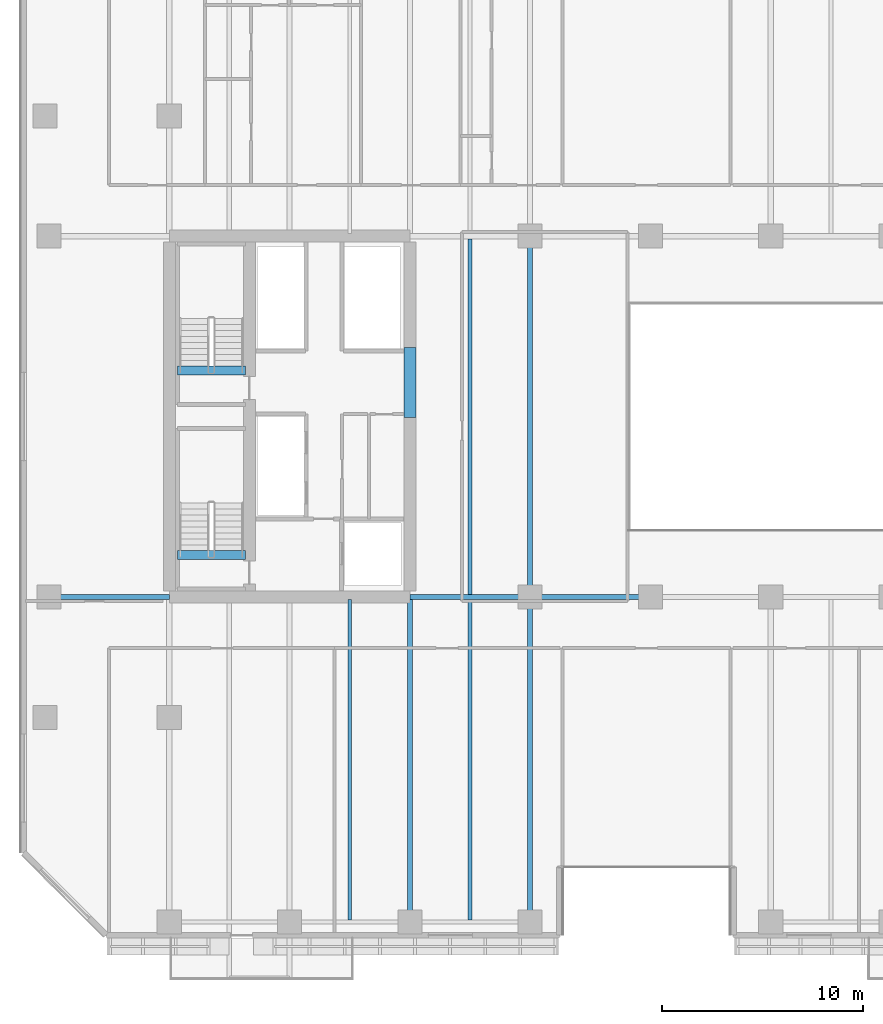
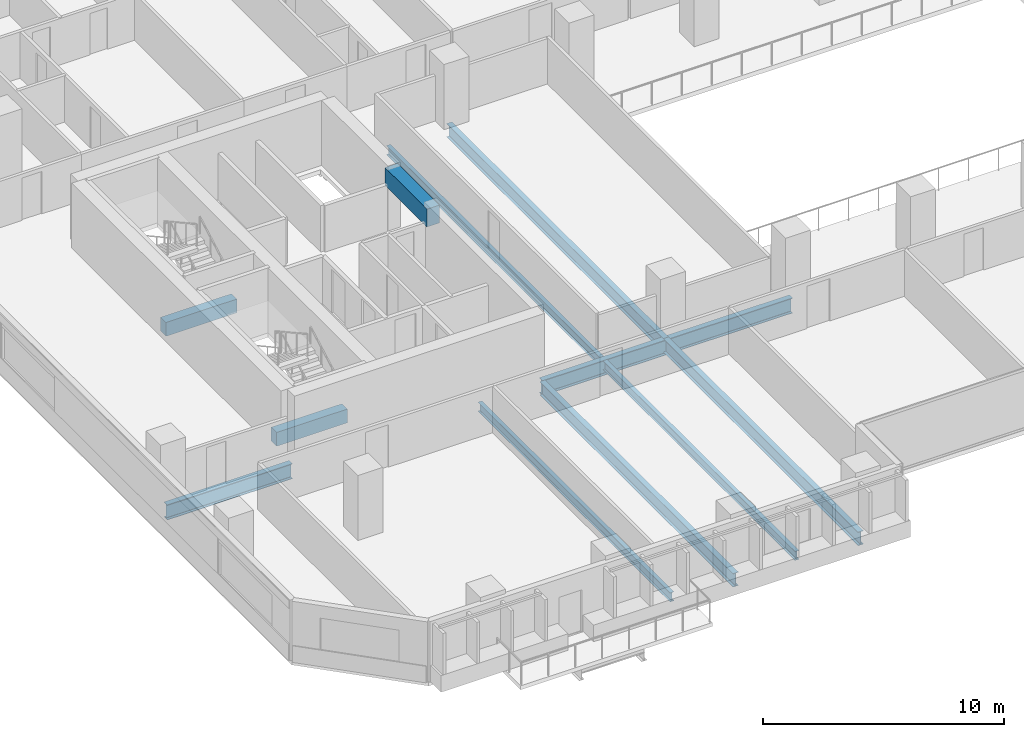
# One storey, part 3 of 25: 12 beams.
"""IFC4 building model written with IfcOpenShell, lengths in metres."""

from ifc_helpers import new_model, si_unit, direction, frame, origin, origin_2d, place, context, subcontext, project, spatial, rectangle, i_section, extrude, material, material_profile, profile_set, type_object, element, save


model = new_model("IFC4")

# Units and contexts
model_context = context("Model", 3, precision=1e-05, world=origin(), true_north=direction((0.0, 1.0)))
body_context = subcontext(model_context, "Body", "Model", "MODEL_VIEW")
ifc_project = project(units=[si_unit("LENGTHUNIT", "METRE"), si_unit("AREAUNIT", "SQUARE_METRE"), si_unit("VOLUMEUNIT", "CUBIC_METRE"), si_unit("PLANEANGLEUNIT", "RADIAN"), si_unit("MASSUNIT", "GRAM", prefix="KILO")], contexts=[model_context])

# Site, building, storey
site_placement = place(None, origin())
site = spatial("IfcSite", under=ifc_project, at=site_placement, CompositionType="ELEMENT")
building_placement = place(site_placement, origin())
building = spatial("IfcBuilding", under=site, at=building_placement, Name="Tanjung Sevakor Pilgrim Tower", CompositionType="ELEMENT")
storey_placement = place(building_placement, frame((0.0, 0.0, 42.239990234375)))
storey = spatial("IfcBuildingStorey", under=building, at=storey_placement, Name="L11", CompositionType="ELEMENT", Elevation=42.239990234375)

# Beams
ifc_material_1 = material(Name="Steel S355J2", Category="steel")
ifc_material_profile_1 = material_profile(ifc_material_1, i_section(OverallWidth=0.26806640625, OverallDepth=0.769775390625, WebThickness=0.015625, FlangeThickness=0.025390625, FilletRadius=0.0166015625, at=origin_2d()))
ifc_profile_set_1 = profile_set([ifc_material_profile_1], Name="Steel S355J2")
beam_type_1 = type_object("IfcBeamType", Name="BM-B-G1-UB_762x267x197", PredefinedType="BEAM", material=ifc_profile_set_1)
for number, where, z_axis, x_axis, name in (
    (1, (18.0, 24.60009765625, -0.60498046875), (1.0, 0.0, 0.0), (0.0, 1.0, 0.0), "L11 Primary Floor Girder MAIN Y246-01"),
    (2, (36.0, 24.60009765625, -0.60498046875), (1.0, 0.0, 0.0), (0.0, 1.0, 0.0), "L11 Primary Floor Girder MAIN Y246-02"),
    (3, (42.0, 24.60009765625, -0.60498046875), (1.0, 0.0, 0.0), (0.0, 1.0, 0.0), "L11 Primary Floor Girder MAIN Y246-03"),
):
    element("IfcBeam", number, at=place(storey_placement, frame(where, z_axis=z_axis, x_axis=x_axis)), inside=storey, type_object=beam_type_1, Name=name, PredefinedType="BEAM", context=body_context, shape_type="SweptSolid", body=[
        extrude(i_section(OverallWidth=0.26806640625, OverallDepth=0.769775390625, WebThickness=0.015625, FlangeThickness=0.025390625, FilletRadius=0.0166015625, at=origin_2d()), origin(), (0.0, 0.0, 1.0), 6.0),
    ])
ifc_material_2 = material(Name="Steel S355J2", Category="steel")
ifc_material_profile_2 = material_profile(ifc_material_2, i_section(OverallWidth=0.25439453125, OverallDepth=0.6875, WebThickness=0.01318359375, FlangeThickness=0.02099609375, FilletRadius=0.01513671875, at=origin_2d()))
ifc_profile_set_2 = profile_set([ifc_material_profile_2], Name="Steel S355J2")
beam_type_2 = type_object("IfcBeamType", Name="BM-B-G2-UB_686x254x152", PredefinedType="BEAM", material=ifc_profile_set_2)
beam_1_placement = place(storey_placement, frame((36.0, 8.39990234375, -0.563720703125), z_axis=(0.0, 1.0, 0.0), x_axis=(-1.0, 0.0, 0.0)))
element("IfcBeam", 4, at=beam_1_placement, inside=storey, type_object=beam_type_2, Name="L11 MAIN Girder 005", PredefinedType="BEAM", context=body_context, shape_type="SweptSolid", body=[
    extrude(i_section(OverallWidth=0.25439453125, OverallDepth=0.6875, WebThickness=0.01318359375, FlangeThickness=0.02099609375, FilletRadius=0.01513671875, at=origin_2d()), origin(), (0.0, 0.0, 1.0), 16.066162109375),
])
beam_2_placement = place(storey_placement, frame((42.0, 8.39990234375, -0.563720703125), z_axis=(0.0, 1.0, 0.0), x_axis=(-1.0, 0.0, 0.0)))
element("IfcBeam", 5, at=beam_2_placement, inside=storey, type_object=beam_type_2, Name="L11 MAIN Girder 010", PredefinedType="BEAM", context=body_context, shape_type="SweptSolid", body=[
    extrude(i_section(OverallWidth=0.25439453125, OverallDepth=0.6875, WebThickness=0.01318359375, FlangeThickness=0.02099609375, FilletRadius=0.01513671875, at=origin_2d()), origin(), (0.0, 0.0, 1.0), 16.2001953125),
])
beam_3_placement = place(storey_placement, frame((42.0, 24.60009765625, -0.563720703125), z_axis=(0.0, 1.0, 0.0), x_axis=(-1.0, 0.0, 0.0)))
element("IfcBeam", 6, at=beam_3_placement, inside=storey, type_object=beam_type_2, Name="L11 MAIN Girder 011", PredefinedType="BEAM", context=body_context, shape_type="SweptSolid", body=[
    extrude(i_section(OverallWidth=0.25439453125, OverallDepth=0.6875, WebThickness=0.01318359375, FlangeThickness=0.02099609375, FilletRadius=0.01513671875, at=origin_2d()), origin(), (0.0, 0.0, 1.0), 18.0),
])
ifc_material_3 = material(Name="Steel S355J2", Category="steel")
ifc_material_profile_3 = material_profile(ifc_material_3, i_section(OverallWidth=0.19140625, OverallDepth=0.4599609375, WebThickness=0.010009765625, FlangeThickness=0.01611328125, FilletRadius=0.01025390625, at=origin_2d()))
ifc_profile_set_3 = profile_set([ifc_material_profile_3], Name="Steel S355J2")
beam_type_3 = type_object("IfcBeamType", Name="BM-B-J2-UB_457x191x82", PredefinedType="JOIST", material=ifc_profile_set_3)
for number, where, z_axis, x_axis, name in (
    (7, (33.0, 8.5, -0.449951171875), (0.0, 1.0, 0.0), (-1.0, 0.0, 0.0), "L11 MAIN Joist 003"),
    (8, (39.0, 8.5, -0.449951171875), (0.0, 1.0, 0.0), (-1.0, 0.0, 0.0), "L11 MAIN Joist 007"),
):
    element("IfcBeam", number, at=place(storey_placement, frame(where, z_axis=z_axis, x_axis=x_axis)), inside=storey, type_object=beam_type_3, Name=name, PredefinedType="JOIST", context=body_context, shape_type="SweptSolid", body=[
        extrude(i_section(OverallWidth=0.19140625, OverallDepth=0.4599609375, WebThickness=0.010009765625, FlangeThickness=0.01611328125, FilletRadius=0.01025390625, at=origin_2d()), origin(), (0.0, 0.0, 1.0), 15.966064453125),
    ])
beam_4_placement = place(storey_placement, frame((39.0, 24.73388671875, -0.449951171875), z_axis=(0.0, 1.0, 0.0), x_axis=(-1.0, 0.0, 0.0)))
element("IfcBeam", 9, at=beam_4_placement, inside=storey, type_object=beam_type_3, Name="L11 MAIN Joist 008", PredefinedType="JOIST", context=body_context, shape_type="SweptSolid", body=[
    extrude(i_section(OverallWidth=0.19140625, OverallDepth=0.4599609375, WebThickness=0.010009765625, FlangeThickness=0.01611328125, FilletRadius=0.01025390625, at=origin_2d()), origin(), (0.0, 0.0, 1.0), 17.732177734375),
])
ifc_material_4 = material(Name="Concrete C60/75", Category="concrete")
ifc_material_profile_4 = material_profile(ifc_material_4, rectangle(XDim=0.60009765625, YDim=0.89990234375, at=origin_2d()))
ifc_profile_set_4 = profile_set([ifc_material_profile_4], Name="Concrete C60/75")
beam_type_4 = type_object("IfcBeamType", Name="BM-B-LN1-RC-BM_600x900", PredefinedType="LINTEL", material=ifc_profile_set_4)
beam_5_placement = place(storey_placement, frame((36.0, 33.550048828125, 2.630126953125), z_axis=(0.0, 1.0, 0.0), x_axis=(-1.0, 0.0, 0.0)))
element("IfcBeam", 10, at=beam_5_placement, inside=storey, type_object=beam_type_4, Name="L11 W Core Coupling Lintel", PredefinedType="LINTEL", context=body_context, shape_type="SweptSolid", body=[
    extrude(rectangle(XDim=0.60009765625, YDim=0.89990234375, at=origin_2d()), origin(), (0.0, 0.0, 1.0), 3.5),
])
ifc_material_5 = material(Name="Concrete C60/75", Category="concrete")
ifc_material_profile_5 = material_profile(ifc_material_5, rectangle(XDim=0.449951171875, YDim=0.699951171875, at=origin_2d()))
ifc_profile_set_5 = profile_set([ifc_material_profile_5], Name="Concrete C60/75")
beam_type_5 = type_object("IfcBeamType", Name="BM-B-LN3-RC-BM_450x700", PredefinedType="LINTEL", material=ifc_profile_set_5)
for number, where, z_axis, x_axis, name in (
    (11, (24.39990234375, 26.699951171875, -0.35009765625), (1.0, 0.0, 0.0), (0.0, 1.0, 0.0), "L11 TS-W1 Stair Threshold Beam"),
    (12, (24.39990234375, 35.89990234375, -0.35009765625), (1.0, 0.0, 0.0), (0.0, 1.0, 0.0), "L11 TS-W2 Stair Threshold Beam"),
):
    element("IfcBeam", number, at=place(storey_placement, frame(where, z_axis=z_axis, x_axis=x_axis)), inside=storey, type_object=beam_type_5, Name=name, PredefinedType="LINTEL", context=body_context, shape_type="SweptSolid", body=[
        extrude(rectangle(XDim=0.449951171875, YDim=0.699951171875, at=origin_2d()), origin(), (0.0, 0.0, 1.0), 3.400146484375),
    ])

save(model, "model.ifc")
